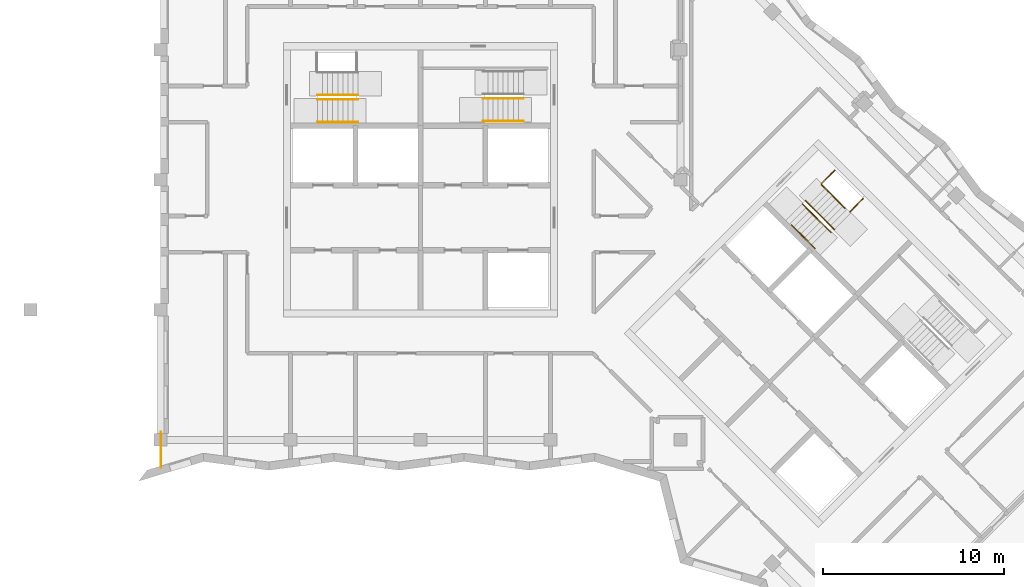
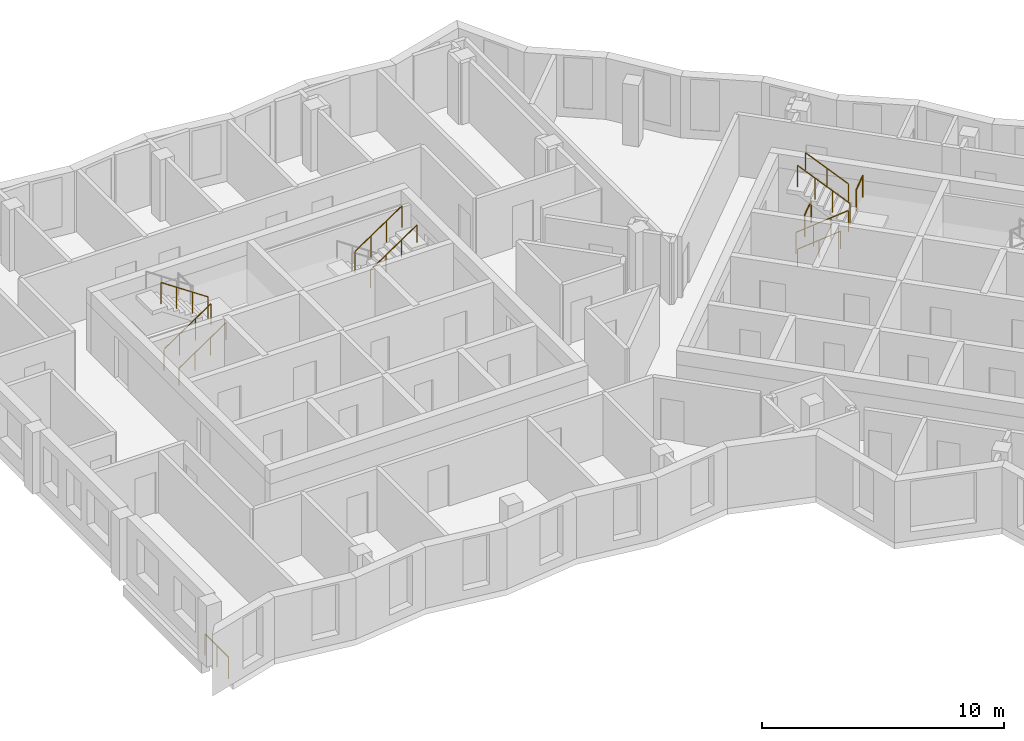
# One storey, part 10 of 13: 12 railings.
"""IFC4 building model written with IfcOpenShell, lengths in metres."""

from ifc_helpers import new_model, si_unit, direction, frame, origin, origin_2d, place, context, subcontext, project, spatial, circle, extrude, material, type_object, element, save


model = new_model("IFC4")

# Units and contexts
model_context = context("Model", 3, precision=1e-05, world=origin(), true_north=direction((0.0, 1.0)))
body_context = subcontext(model_context, "Body", "Model", "MODEL_VIEW")
ifc_project = project(units=[si_unit("LENGTHUNIT", "METRE"), si_unit("AREAUNIT", "SQUARE_METRE"), si_unit("VOLUMEUNIT", "CUBIC_METRE"), si_unit("PLANEANGLEUNIT", "RADIAN"), si_unit("MASSUNIT", "GRAM", prefix="KILO")], contexts=[model_context])

# Site, building, storey
site_placement = place(None, origin())
site = spatial("IfcSite", under=ifc_project, at=site_placement, CompositionType="ELEMENT")
building_placement = place(site_placement, origin())
building = spatial("IfcBuilding", under=site, at=building_placement, Name="Windrow Commons", CompositionType="ELEMENT")
storey_placement = place(building_placement, frame((0.0, 0.0, 264.2)))
storey = spatial("IfcBuildingStorey", under=building, at=storey_placement, Name="L72", CompositionType="ELEMENT", Elevation=264.2)

# Railings
ifc_material_1 = material(Name="Steel S355", Category="steel")
railing_type_1 = type_object("IfcRailingType", Name="Core stair guard 1100", PredefinedType="GUARDRAIL", material=ifc_material_1)
railing_1_placement = place(storey_placement, frame((59.1, 62.05, 0.1889)))
element("IfcRailing", 1, at=railing_1_placement, inside=storey, type_object=railing_type_1, Name="L72 ST-A1 stair guard 1", PredefinedType="GUARDRAIL", context=body_context, shape_type="SweptSolid", body=[
    extrude(circle(Radius=0.024, at=origin_2d()), frame((0.0, 0.0, 1.076), z_axis=(0.8290030985, 0.0, 0.5592440099), x_axis=(0.0, 1.0, 0.0)), (0.0, 0.0, 1.0), 2.702),
    extrude(circle(Radius=0.021, at=origin_2d()), origin(), (0.0, 0.0, 1.0), 1.052),
    extrude(circle(Radius=0.021, at=origin_2d()), frame((0.7467, 0.0, 0.5037)), (0.0, 0.0, 1.0), 1.052),
    extrude(circle(Radius=0.021, at=origin_2d()), frame((1.4933, 0.0, 1.0074)), (0.0, 0.0, 1.0), 1.052),
    extrude(circle(Radius=0.021, at=origin_2d()), frame((2.24, 0.0, 1.5111)), (0.0, 0.0, 1.0), 1.052),
])
railing_2_placement = place(storey_placement, frame((61.34, 62.3, 1.8889)))
element("IfcRailing", 2, at=railing_2_placement, inside=storey, type_object=railing_type_1, Name="L72 ST-A1 stair guard 2", PredefinedType="GUARDRAIL", context=body_context, shape_type="SweptSolid", body=[
    extrude(circle(Radius=0.024, at=origin_2d()), frame((0.0, 0.0, 1.076), z_axis=(-0.8290030985, 0.0, 0.5592440099), x_axis=(0.0, -1.0, 0.0)), (0.0, 0.0, 1.0), 2.702),
    extrude(circle(Radius=0.021, at=origin_2d()), origin(), (0.0, 0.0, 1.0), 1.052),
    extrude(circle(Radius=0.021, at=origin_2d()), frame((-0.7467, 0.0, 0.5037)), (0.0, 0.0, 1.0), 1.052),
    extrude(circle(Radius=0.021, at=origin_2d()), frame((-1.4933, 0.0, 1.0074)), (0.0, 0.0, 1.0), 1.052),
    extrude(circle(Radius=0.021, at=origin_2d()), frame((-2.24, 0.0, 1.5111)), (0.0, 0.0, 1.0), 1.052),
])
railing_3_placement = place(storey_placement, frame((68.26, 62.105, 1.8889)))
element("IfcRailing", 3, at=railing_3_placement, inside=storey, type_object=railing_type_1, Name="L72 ST-A2 stair guard 2", PredefinedType="GUARDRAIL", context=body_context, shape_type="SweptSolid", body=[
    extrude(circle(Radius=0.024, at=origin_2d()), frame((0.0, 0.0, 1.076), z_axis=(0.8290030985, 0.0, 0.5592440099), x_axis=(0.0, 1.0, 0.0)), (0.0, 0.0, 1.0), 2.702),
    extrude(circle(Radius=0.021, at=origin_2d()), origin(), (0.0, 0.0, 1.0), 1.052),
    extrude(circle(Radius=0.021, at=origin_2d()), frame((0.7467, 0.0, 0.5037)), (0.0, 0.0, 1.0), 1.052),
    extrude(circle(Radius=0.021, at=origin_2d()), frame((1.4933, 0.0, 1.0074)), (0.0, 0.0, 1.0), 1.052),
    extrude(circle(Radius=0.021, at=origin_2d()), frame((2.24, 0.0, 1.5111)), (0.0, 0.0, 1.0), 1.052),
])
railing_4_placement = place(storey_placement, frame((85.9529, 56.2669, 0.1889)))
element("IfcRailing", 4, at=railing_4_placement, inside=storey, type_object=railing_type_1, Name="L72 ST-B1 stair guard 1", PredefinedType="GUARDRAIL", context=body_context, shape_type="SweptSolid", body=[
    extrude(circle(Radius=0.024, at=origin_2d()), frame((0.0, 0.0, 1.076), z_axis=(0.5861914914, -0.5861914914, 0.5592486664), x_axis=(0.7071067812, 0.7071067812, 0.0)), (0.0, 0.0, 1.0), 2.702),
    extrude(circle(Radius=0.021, at=origin_2d()), origin(), (0.0, 0.0, 1.0), 1.052),
    extrude(circle(Radius=0.021, at=origin_2d()), frame((0.528, -0.528, 0.5037)), (0.0, 0.0, 1.0), 1.052),
    extrude(circle(Radius=0.021, at=origin_2d()), frame((1.0559, -1.0559, 1.0074)), (0.0, 0.0, 1.0), 1.052),
    extrude(circle(Radius=0.021, at=origin_2d()), frame((1.5839, -1.5839, 1.5111)), (0.0, 0.0, 1.0), 1.052),
])
railing_5_placement = place(storey_placement, frame((87.7136, 54.8597, 1.8889)))
element("IfcRailing", 5, at=railing_5_placement, inside=storey, type_object=railing_type_1, Name="L72 ST-B1 stair guard 2", PredefinedType="GUARDRAIL", context=body_context, shape_type="SweptSolid", body=[
    extrude(circle(Radius=0.024, at=origin_2d()), frame((0.0, 0.0, 1.076), z_axis=(-0.5862030657, 0.5862030657, 0.5592244018), x_axis=(-0.7071067812, -0.7071067812, 0.0)), (0.0, 0.0, 1.0), 2.7021),
    extrude(circle(Radius=0.021, at=origin_2d()), origin(), (0.0, 0.0, 1.0), 1.052),
    extrude(circle(Radius=0.021, at=origin_2d()), frame((-0.528, 0.528, 0.5037)), (0.0, 0.0, 1.0), 1.052),
    extrude(circle(Radius=0.021, at=origin_2d()), frame((-1.056, 1.056, 1.0074)), (0.0, 0.0, 1.0), 1.052),
    extrude(circle(Radius=0.021, at=origin_2d()), frame((-1.584, 1.584, 1.5111)), (0.0, 0.0, 1.0), 1.052),
])
railing_6_placement = place(storey_placement, frame((87.0135, 57.3982, 0.0)))
element("IfcRailing", 6, at=railing_6_placement, inside=storey, type_object=railing_type_1, Name="L72 ST-B1 stair guard 3", PredefinedType="GUARDRAIL", context=body_context, shape_type="SweptSolid", body=[
    extrude(circle(Radius=0.024, at=origin_2d()), frame((0.0, 0.0, 1.076), z_axis=(0.7070582378, 0.7071553212, 0.0), x_axis=(-0.7071553212, 0.7070582378, 0.0)), (0.0, 0.0, 1.0), 1.03),
    extrude(circle(Radius=0.021, at=origin_2d()), origin(), (0.0, 0.0, 1.0), 1.052),
    extrude(circle(Radius=0.021, at=origin_2d()), frame((0.7283, 0.7284, 0.0)), (0.0, 0.0, 1.0), 1.052),
])
railing_7_placement = place(storey_placement, frame((88.5833, 55.8285, 1.7)))
element("IfcRailing", 7, at=railing_7_placement, inside=storey, type_object=railing_type_1, Name="L72 ST-B1 stair guard 4", PredefinedType="GUARDRAIL", context=body_context, shape_type="SweptSolid", body=[
    extrude(circle(Radius=0.024, at=origin_2d()), frame((0.0, 0.0, 1.076), z_axis=(0.7071067812, 0.7071067812, 0.0), x_axis=(-0.7071067812, 0.7071067812, 0.0)), (0.0, 0.0, 1.0), 1.03),
    extrude(circle(Radius=0.021, at=origin_2d()), origin(), (0.0, 0.0, 1.0), 1.052),
    extrude(circle(Radius=0.021, at=origin_2d()), frame((0.7283, 0.7283, 0.0)), (0.0, 0.0, 1.0), 1.052),
])
ifc_material_2 = material(Name="Steel S355", Category="steel")
railing_type_2 = type_object("IfcRailingType", Name="Core stair handrail 900", PredefinedType="HANDRAIL", material=ifc_material_2)
for number, where, name in (
    (8, (59.1, 60.8, 0.1889), "L72 ST-A1 stair handrail 1"),
    (9, (68.26, 60.855, 1.8889), "L72 ST-A2 stair handrail 2"),
):
    element("IfcRailing", number, at=place(storey_placement, frame(where)), inside=storey, type_object=railing_type_2, Name=name, PredefinedType="HANDRAIL", context=body_context, shape_type="SweptSolid", body=[
        extrude(circle(Radius=0.024, at=origin_2d()), frame((0.0, 0.0, 0.876), z_axis=(0.8290030985, 0.0, 0.5592440099), x_axis=(0.0, 1.0, 0.0)), (0.0, 0.0, 1.0), 2.702),
        extrude(circle(Radius=0.021, at=origin_2d()), origin(), (0.0, 0.0, 1.0), 0.852),
        extrude(circle(Radius=0.021, at=origin_2d()), frame((0.7467, 0.0, 0.5037)), (0.0, 0.0, 1.0), 0.852),
        extrude(circle(Radius=0.021, at=origin_2d()), frame((1.4933, 0.0, 1.0074)), (0.0, 0.0, 1.0), 0.852),
        extrude(circle(Radius=0.021, at=origin_2d()), frame((2.24, 0.0, 1.5111)), (0.0, 0.0, 1.0), 0.852),
    ])
railing_8_placement = place(storey_placement, frame((85.3518, 55.1001, 0.4587)))
element("IfcRailing", 10, at=railing_8_placement, inside=storey, type_object=railing_type_2, Name="L72 ST-B1 stair handrail 1", PredefinedType="HANDRAIL", context=body_context, shape_type="SweptSolid", body=[
    extrude(circle(Radius=0.024, at=origin_2d()), frame((0.0, 0.0, 0.876), z_axis=(0.586206706, -0.5861616513, 0.5592639952), x_axis=(0.7070796062, 0.7071339551, 0.0)), (0.0, 0.0, 1.0), 2.2195),
    extrude(circle(Radius=0.021, at=origin_2d()), origin(), (0.0, 0.0, 1.0), 0.852),
    extrude(circle(Radius=0.021, at=origin_2d()), frame((0.6506, -0.6505, 0.6206)), (0.0, 0.0, 1.0), 0.852),
    extrude(circle(Radius=0.021, at=origin_2d()), frame((1.3011, -1.301, 1.2413)), (0.0, 0.0, 1.0), 0.852),
])
railing_9_placement = place(storey_placement, frame((88.3146, 56.0265, 2.1587)))
element("IfcRailing", 11, at=railing_9_placement, inside=storey, type_object=railing_type_2, Name="L72 ST-B1 stair handrail 2", PredefinedType="HANDRAIL", context=body_context, shape_type="SweptSolid", body=[
    extrude(circle(Radius=0.024, at=origin_2d()), frame((0.0, 0.0, 0.876), z_axis=(-0.586206706, 0.5861616513, 0.5592639952), x_axis=(-0.7070796062, -0.7071339551, 0.0)), (0.0, 0.0, 1.0), 2.2195),
    extrude(circle(Radius=0.021, at=origin_2d()), origin(), (0.0, 0.0, 1.0), 0.852),
    extrude(circle(Radius=0.021, at=origin_2d()), frame((-0.6506, 0.6505, 0.6207)), (0.0, 0.0, 1.0), 0.852),
    extrude(circle(Radius=0.021, at=origin_2d()), frame((-1.3011, 1.301, 1.2413)), (0.0, 0.0, 1.0), 0.852),
])
ifc_material_3 = material(Name="Stainless steel S316 balustrade with toughened glass infill", Category="steel")
railing_type_3 = type_object("IfcRailingType", Name="Terrace guard 1100", PredefinedType="BALUSTRADE", material=ifc_material_3)
railing_10_placement = place(storey_placement, frame((50.43, 41.6889, 0.0)))
element("IfcRailing", 12, at=railing_10_placement, inside=storey, type_object=railing_type_3, Name="Edge guard L72 1", PredefinedType="BALUSTRADE", context=body_context, shape_type="SweptSolid", body=[
    extrude(circle(Radius=0.025, at=origin_2d()), frame((0.0, 0.0, 1.075), z_axis=(0.0, 1.0, 0.0), x_axis=(-1.0, 0.0, 0.0)), (0.0, 0.0, 1.0), 1.9411),
    extrude(circle(Radius=0.02, at=origin_2d()), origin(), (0.0, 0.0, 1.0), 1.05),
    extrude(circle(Radius=0.02, at=origin_2d()), frame((0.0, 0.9706, 0.0)), (0.0, 0.0, 1.0), 1.05),
    extrude(circle(Radius=0.02, at=origin_2d()), frame((0.0, 1.9411, 0.0)), (0.0, 0.0, 1.0), 1.05),
])

save(model, "model.ifc")
